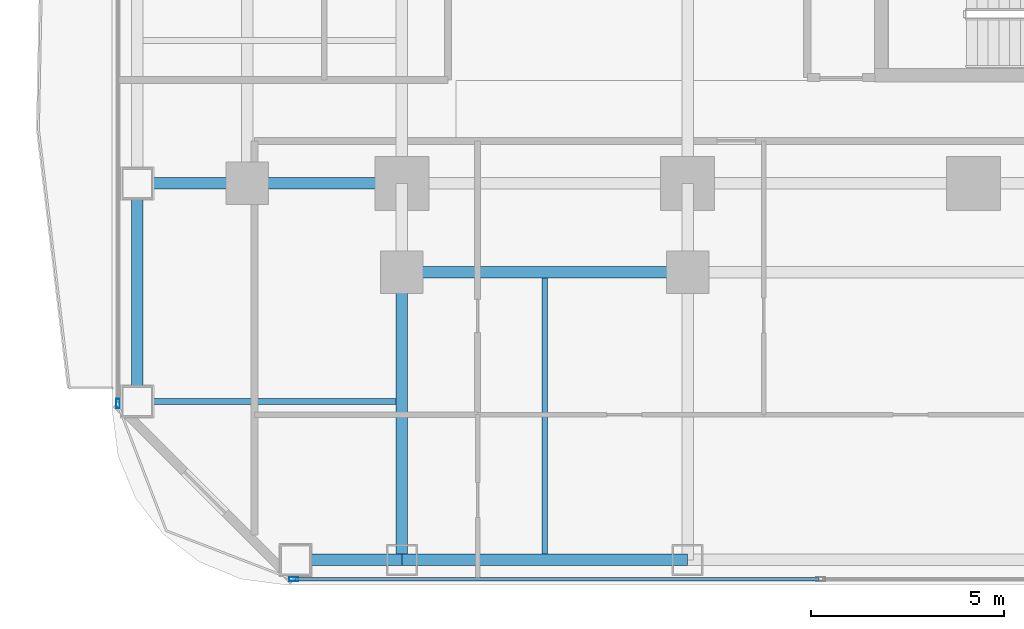
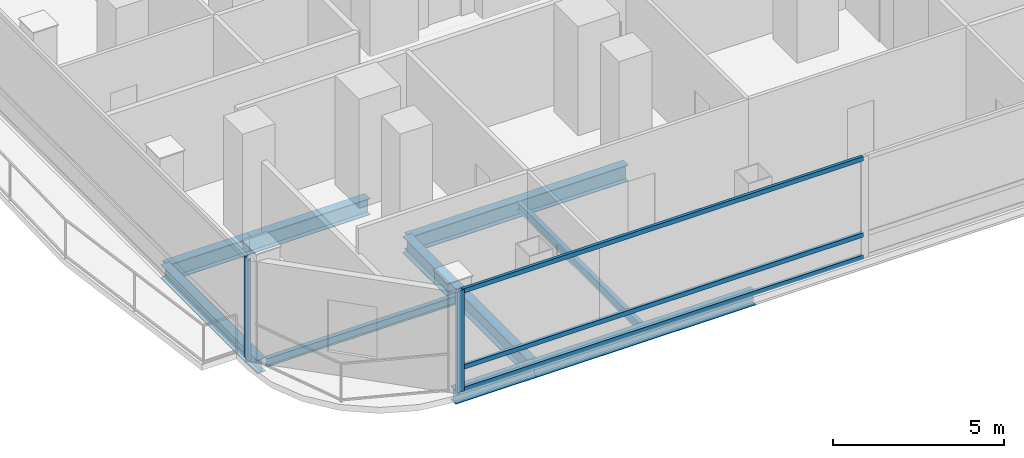
# One storey, part 2 of 27: 9 beams, 5 members, 2 elements without a shape of their own.
"""IFC4 building model written with IfcOpenShell, lengths in metres."""

from ifc_helpers import new_model, si_unit, direction, frame, origin, origin_2d, place, context, subcontext, project, spatial, hollow_rectangle, i_section, extrude, material, layer, layer_set, material_profile, profile_set, type_object, element, aggregate, save


model = new_model("IFC4")

# Units and contexts
model_context = context("Model", 3, precision=1e-05, world=origin(), true_north=direction((0.0, 1.0)))
body_context = subcontext(model_context, "Body", "Model", "MODEL_VIEW")
ifc_project = project(units=[si_unit("LENGTHUNIT", "METRE"), si_unit("AREAUNIT", "SQUARE_METRE"), si_unit("VOLUMEUNIT", "CUBIC_METRE"), si_unit("PLANEANGLEUNIT", "RADIAN"), si_unit("MASSUNIT", "GRAM", prefix="KILO")], contexts=[model_context])

# Site, building, storey
site_placement = place(None, origin())
site = spatial("IfcSite", under=ifc_project, at=site_placement, CompositionType="ELEMENT")
building_placement = place(site_placement, origin())
building = spatial("IfcBuilding", under=site, at=building_placement, Name="Khorvyn Point Tower", CompositionType="ELEMENT")
storey_placement = place(building_placement, frame((0.0, 0.0, 50.10009765625)))
storey = spatial("IfcBuildingStorey", under=building, at=storey_placement, Name="L13", CompositionType="ELEMENT", Elevation=50.10009765625)

# Curtain wall, member
ifc_material_1 = material(Name="Anodised aluminium 6063-T6 and laminated Low-E glass", Category="aluminium")
ifc_layer = layer(ifc_material_1, 0.18994140625)
ifc_layer_set = layer_set([ifc_layer], Name="Stick-Built Finned Residential Curtain Wall CW-SYS-02")
curtain_wall_type = type_object("IfcCurtainWallType", Name="Stick-Built Finned Residential Curtain Wall CW-SYS-02", PredefinedType="NOTDEFINED", material=ifc_layer_set)
curtain_wall_1_placement = place(storey_placement, origin())
curtain_wall_1 = element("IfcCurtainWall", 1, at=curtain_wall_1_placement, inside=storey, type_object=curtain_wall_type, Name="Curtain Wall", PredefinedType="NOTDEFINED")
ifc_material_2 = material(Name="Anodised aluminium 6063-T6", Category="aluminium")
ifc_material_profile_1 = material_profile(ifc_material_2, hollow_rectangle(XDim=0.10009765625, YDim=0.239990234375, WallThickness=0.0048828125, at=origin_2d()))
ifc_profile_set_1 = profile_set([ifc_material_profile_1], Name="Anodised aluminium 6063-T6 ALU-MUL-100x240")
member_type_1 = type_object("IfcMemberType", Name="Anodised Aluminium 6063-T6 Mullion ALU-MUL-100x240", PredefinedType="MULLION", material=ifc_profile_set_1)
member_1_placement = place(storey_placement, frame((-17.60009765625, -25.050048828125, 0.0), z_axis=(0.0, 0.0, 1.0), x_axis=(0.0, -1.0, 0.0)))
member_1 = element("IfcMember", 2, at=member_1_placement, type_object=member_type_1, Name="Transom", PredefinedType="MULLION", context=body_context, shape_type="SweptSolid", body=[
    extrude(hollow_rectangle(XDim=0.10009765625, YDim=0.239990234375, WallThickness=0.0048828125, at=origin_2d()), origin(), (0.0, 0.0, 1.0), 3.619873046875),
])

curtain_wall_2_placement = place(storey_placement, origin())
curtain_wall_2 = element("IfcCurtainWall", 3, at=curtain_wall_2_placement, inside=storey, type_object=curtain_wall_type, Name="Curtain Wall", PredefinedType="NOTDEFINED")
member_2_placement = place(storey_placement, frame((-22.14990234375, -20.5, 0.0), z_axis=(0.0, 0.0, 1.0), x_axis=(-1.0, 0.0, 0.0)))
member_2 = element("IfcMember", 4, at=member_2_placement, type_object=member_type_1, Name="Transom", PredefinedType="MULLION", context=body_context, shape_type="SweptSolid", body=[
    extrude(hollow_rectangle(XDim=0.10009765625, YDim=0.239990234375, WallThickness=0.0048828125, at=origin_2d()), origin(), (0.0, 0.0, 1.0), 3.619873046875),
])
aggregate(curtain_wall_2, [member_2])

# Member
ifc_material_profile_2 = material_profile(ifc_material_2, hollow_rectangle(XDim=0.10009765625, YDim=0.159912109375, WallThickness=0.00439453125, at=origin_2d()))
ifc_profile_set_2 = profile_set([ifc_material_profile_2], Name="Anodised aluminium 6063-T6 ALU-TRN-100x160")
member_type_2 = type_object("IfcMemberType", Name="Anodised Aluminium 6063-T6 Transom ALU-TRN-100x160", PredefinedType="USERDEFINED", material=ifc_profile_set_2)
member_3_placement = place(storey_placement, frame((-4.0, -25.050048828125, 0.0498046875), z_axis=(-1.0, 0.0, 0.0), x_axis=(0.0, -1.0, 0.0)))
member_3 = element("IfcMember", 5, at=member_3_placement, type_object=member_type_2, Name="Transom", ObjectType="TRANSOM", PredefinedType="USERDEFINED", context=body_context, shape_type="SweptSolid", body=[
    extrude(hollow_rectangle(XDim=0.10009765625, YDim=0.159912109375, WallThickness=0.00439453125, at=origin_2d()), origin(), (0.0, 0.0, 1.0), 13.550048828125),
])

member_4_placement = place(storey_placement, frame((-4.0, -25.050048828125, 0.849853515625), z_axis=(-1.0, 0.0, 0.0), x_axis=(0.0, -1.0, 0.0)))
member_4 = element("IfcMember", 6, at=member_4_placement, type_object=member_type_2, Name="Transom", ObjectType="TRANSOM", PredefinedType="USERDEFINED", context=body_context, shape_type="SweptSolid", body=[
    extrude(hollow_rectangle(XDim=0.10009765625, YDim=0.159912109375, WallThickness=0.00439453125, at=origin_2d()), origin(), (0.0, 0.0, 1.0), 13.550048828125),
])

member_5_placement = place(storey_placement, frame((-4.0, -25.050048828125, 3.56982421875), z_axis=(-1.0, 0.0, 0.0), x_axis=(0.0, -1.0, 0.0)))
member_5 = element("IfcMember", 7, at=member_5_placement, type_object=member_type_2, Name="Transom", ObjectType="TRANSOM", PredefinedType="USERDEFINED", context=body_context, shape_type="SweptSolid", body=[
    extrude(hollow_rectangle(XDim=0.10009765625, YDim=0.159912109375, WallThickness=0.00439453125, at=origin_2d()), origin(), (0.0, 0.0, 1.0), 13.550048828125),
])

aggregate(curtain_wall_1, [member_1, member_3, member_4, member_5])

# Beams
ifc_material_3 = material(Name="Steel S355", Category="steel")
ifc_material_profile_3 = material_profile(ifc_material_3, i_section(OverallWidth=0.300048828125, OverallDepth=0.587890625, WebThickness=0.011962890625, FlangeThickness=0.02001953125, at=origin_2d()))
ifc_profile_set_3 = profile_set([ifc_material_profile_3], Name="Steel S355 H588x300x12x20")
beam_type_1 = type_object("IfcBeamType", Name="Steel S355 Beam H588x300x12x20", PredefinedType="BEAM", material=ifc_profile_set_3)
beam_1_placement = place(storey_placement, frame((-21.64990234375, -14.800048828125, -0.51416015625), z_axis=(1.0, 0.0, 0.0), x_axis=(0.0, 1.0, 0.0)))
element("IfcBeam", 8, at=beam_1_placement, inside=storey, type_object=beam_type_1, Name="Beam", PredefinedType="BEAM", context=body_context, shape_type="SweptSolid", body=[
    extrude(i_section(OverallWidth=0.300048828125, OverallDepth=0.587890625, WebThickness=0.011962890625, FlangeThickness=0.02001953125, at=origin_2d()), origin(), (0.0, 0.0, 1.0), 2.849853515625),
])
beam_2_placement = place(storey_placement, frame((-18.800048828125, -14.800048828125, -0.51416015625), z_axis=(1.0, 0.0, 0.0), x_axis=(0.0, 1.0, 0.0)))
element("IfcBeam", 9, at=beam_2_placement, inside=storey, type_object=beam_type_1, Name="Beam", PredefinedType="BEAM", context=body_context, shape_type="SweptSolid", body=[
    extrude(i_section(OverallWidth=0.300048828125, OverallDepth=0.587890625, WebThickness=0.011962890625, FlangeThickness=0.02001953125, at=origin_2d()), origin(), (0.0, 0.0, 1.0), 4.0),
])
beam_3_placement = place(storey_placement, frame((-14.800048828125, -17.10009765625, -0.51416015625), z_axis=(1.0, 0.0, 0.0), x_axis=(0.0, 1.0, 0.0)))
element("IfcBeam", 10, at=beam_3_placement, inside=storey, type_object=beam_type_1, Name="Beam", PredefinedType="BEAM", context=body_context, shape_type="SweptSolid", body=[
    extrude(i_section(OverallWidth=0.300048828125, OverallDepth=0.587890625, WebThickness=0.011962890625, FlangeThickness=0.02001953125, at=origin_2d()), origin(), (0.0, 0.0, 1.0), 7.400146484375),
])
beam_4_placement = place(storey_placement, frame((-14.800048828125, -24.550048828125, -0.51416015625), z_axis=(0.0, 1.0, 0.0), x_axis=(-1.0, 0.0, 0.0)))
element("IfcBeam", 11, at=beam_4_placement, inside=storey, type_object=beam_type_1, Name="Beam", PredefinedType="BEAM", context=body_context, shape_type="SweptSolid", body=[
    extrude(i_section(OverallWidth=0.300048828125, OverallDepth=0.587890625, WebThickness=0.011962890625, FlangeThickness=0.02001953125, at=origin_2d()), origin(), (0.0, 0.0, 1.0), 7.449951171875),
])
ifc_material_profile_4 = material_profile(ifc_material_3, i_section(OverallWidth=0.14990234375, OverallDepth=0.300048828125, WebThickness=0.006591796875, FlangeThickness=0.009033203125, at=origin_2d()))
ifc_profile_set_4 = profile_set([ifc_material_profile_4], Name="Steel S355 H300x150x6.5x9")
beam_type_2 = type_object("IfcBeamType", Name="Steel S355 Joist H300x150x6.5x9", PredefinedType="JOIST", material=ifc_profile_set_4)
beam_5_placement = place(storey_placement, frame((-11.10009765625, -24.39990234375, -0.3701171875), z_axis=(0.0, 1.0, 0.0), x_axis=(-1.0, 0.0, 0.0)))
element("IfcBeam", 12, at=beam_5_placement, inside=storey, type_object=beam_type_2, Name="Beam", PredefinedType="JOIST", context=body_context, shape_type="SweptSolid", body=[
    extrude(i_section(OverallWidth=0.14990234375, OverallDepth=0.300048828125, WebThickness=0.006591796875, FlangeThickness=0.009033203125, at=origin_2d()), origin(), (0.0, 0.0, 1.0), 7.14990234375),
])
beam_6_placement = place(storey_placement, frame((-21.5, -20.449951171875, -0.3701171875), z_axis=(1.0, 0.0, 0.0), x_axis=(0.0, 1.0, 0.0)))
element("IfcBeam", 13, at=beam_6_placement, inside=storey, type_object=beam_type_2, Name="Beam", PredefinedType="JOIST", context=body_context, shape_type="SweptSolid", body=[
    extrude(i_section(OverallWidth=0.14990234375, OverallDepth=0.300048828125, WebThickness=0.006591796875, FlangeThickness=0.009033203125, at=origin_2d()), origin(), (0.0, 0.0, 1.0), 6.550048828125),
])
ifc_material_profile_5 = material_profile(ifc_material_3, i_section(OverallWidth=0.300048828125, OverallDepth=0.488037109375, WebThickness=0.010986328125, FlangeThickness=0.01806640625, at=origin_2d()))
ifc_profile_set_5 = profile_set([ifc_material_profile_5], Name="Steel S355 H488x300x11x18")
beam_type_3 = type_object("IfcBeamType", Name="Steel S355 Spandrel H488x300x11x18", PredefinedType="SPANDREL", material=ifc_profile_set_5)
beam_7_placement = place(storey_placement, frame((-17.550048828125, -24.550048828125, -0.464111328125), z_axis=(1.0, 0.0, 0.0), x_axis=(0.0, 1.0, 0.0)))
element("IfcBeam", 14, at=beam_7_placement, inside=storey, type_object=beam_type_3, Name="Beam", PredefinedType="SPANDREL", context=body_context, shape_type="SweptSolid", body=[
    extrude(i_section(OverallWidth=0.300048828125, OverallDepth=0.488037109375, WebThickness=0.010986328125, FlangeThickness=0.01806640625, at=origin_2d()), origin(), (0.0, 0.0, 1.0), 2.75),
])
beam_8_placement = place(storey_placement, frame((-14.800048828125, -24.550048828125, -0.464111328125), z_axis=(1.0, 0.0, 0.0), x_axis=(0.0, 1.0, 0.0)))
element("IfcBeam", 15, at=beam_8_placement, inside=storey, type_object=beam_type_3, Name="Beam", PredefinedType="SPANDREL", context=body_context, shape_type="SweptSolid", body=[
    extrude(i_section(OverallWidth=0.300048828125, OverallDepth=0.488037109375, WebThickness=0.010986328125, FlangeThickness=0.01806640625, at=origin_2d()), origin(), (0.0, 0.0, 1.0), 7.400146484375),
])
beam_9_placement = place(storey_placement, frame((-21.64990234375, -20.449951171875, -0.464111328125), z_axis=(0.0, 1.0, 0.0), x_axis=(-1.0, 0.0, 0.0)))
element("IfcBeam", 16, at=beam_9_placement, inside=storey, type_object=beam_type_3, Name="Beam", PredefinedType="SPANDREL", context=body_context, shape_type="SweptSolid", body=[
    extrude(i_section(OverallWidth=0.300048828125, OverallDepth=0.488037109375, WebThickness=0.010986328125, FlangeThickness=0.01806640625, at=origin_2d()), origin(), (0.0, 0.0, 1.0), 5.64990234375),
])

save(model, "model.ifc")
